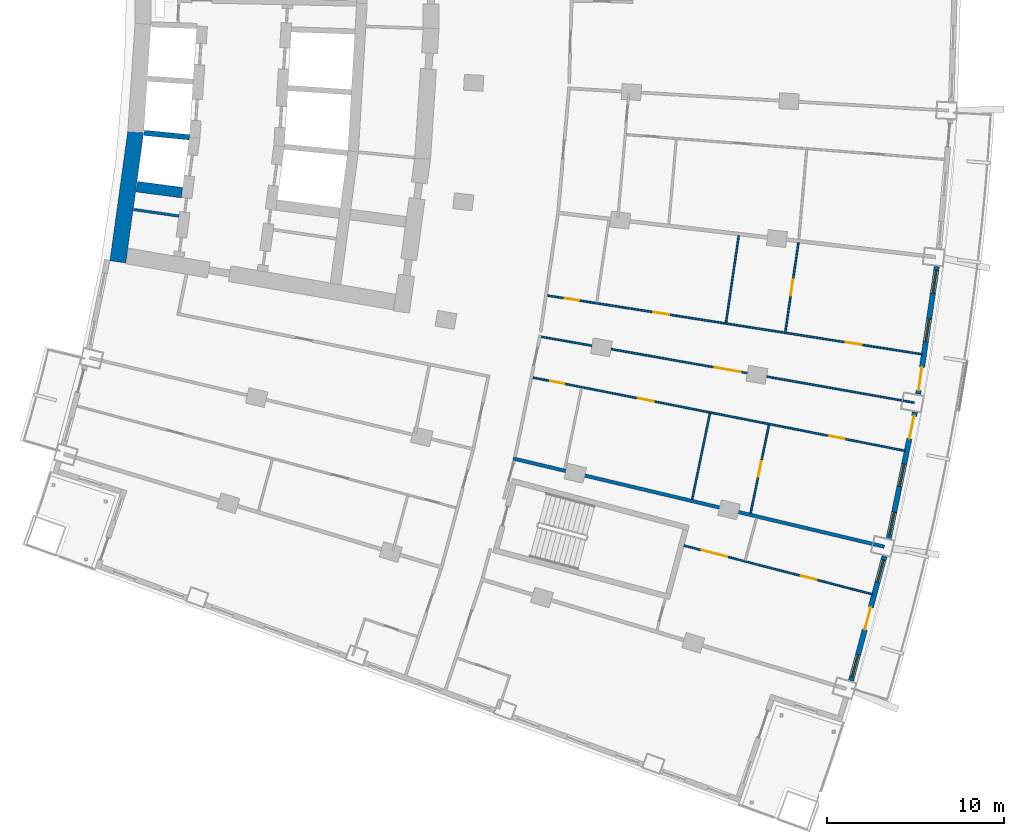
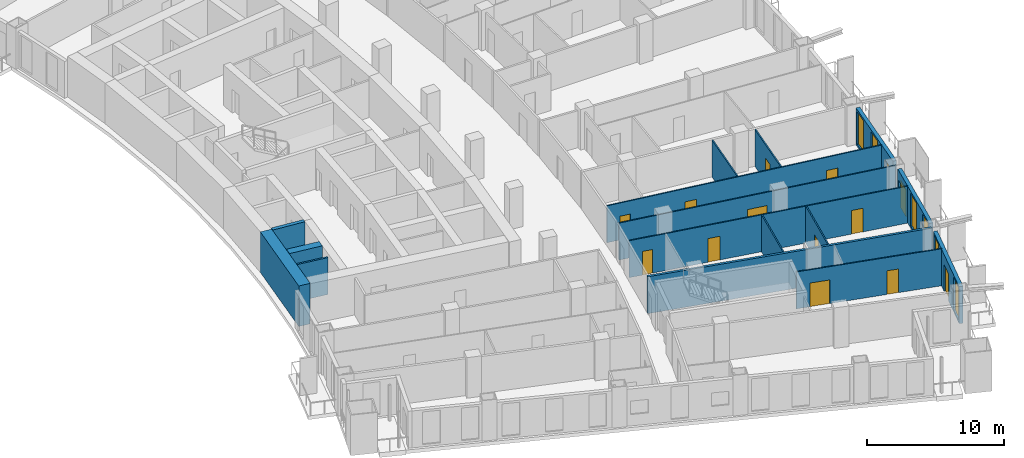
# One storey, part 15 of 25: 16 walls, 14 doors, 6 windows, 20 openings.
"""IFC4 building model written with IfcOpenShell, lengths in metres."""

from ifc_helpers import new_model, si_unit, direction, frame, frame_2d, origin, place, context, subcontext, project, spatial, rectangle, extrude, material, layer, layer_set, type_object, element, fill, save


model = new_model("IFC4")

# Units and contexts
model_context = context("Model", 3, precision=1e-05, world=origin(), true_north=direction((0.0, 1.0)))
body_context = subcontext(model_context, "Body", "Model", "MODEL_VIEW")
ifc_project = project(units=[si_unit("LENGTHUNIT", "METRE"), si_unit("AREAUNIT", "SQUARE_METRE"), si_unit("VOLUMEUNIT", "CUBIC_METRE"), si_unit("PLANEANGLEUNIT", "RADIAN"), si_unit("MASSUNIT", "GRAM", prefix="KILO")], contexts=[model_context])

# Site, building, storey
site_placement = place(None, origin())
site = spatial("IfcSite", under=ifc_project, at=site_placement, CompositionType="ELEMENT")
building_placement = place(site_placement, origin())
building = spatial("IfcBuilding", under=site, at=building_placement, Name="Alderwake Tower", CompositionType="ELEMENT")
storey_placement = place(building_placement, frame((0.0, 0.0, 57.199951171875)))
storey = spatial("IfcBuildingStorey", under=building, at=storey_placement, Name="L13", CompositionType="ELEMENT", Elevation=57.199951171875)

# Walls
ifc_material_1 = material(Name="Gypsum shaft wall system, rated")
ifc_layer_1 = layer(ifc_material_1, 0.14990234375)
ifc_layer_set_1 = layer_set([ifc_layer_1], Name="Core room partition 150")
wall_type_1 = type_object("IfcWallType", Name="Core room partition 150", PredefinedType="PARTITIONING", material=ifc_layer_set_1)
wall_1_placement = place(storey_placement, frame((16.361328125, 47.08203125, 0.0), z_axis=(0.0, 0.0, 1.0), x_axis=(0.989733250733, -0.142926877787, 0.0)))
element("IfcWall", 1, at=wall_1_placement, inside=storey, type_object=wall_type_1, Name="CW/L13/PR-150_+0", PredefinedType="PARTITIONING", context=body_context, shape_type="SweptSolid", body=[
    extrude(rectangle(XDim=2.587890625, YDim=0.14990234375, at=frame_2d((1.2939453125, 0.0))), origin(), (0.0, 0.0, 1.0), 3.280029296875),
])
ifc_material_2 = material(Name="Concrete C70/85", Category="concrete")
ifc_layer_2 = layer(ifc_material_2, 0.89990234375)
ifc_layer_set_2 = layer_set([ifc_layer_2], Name="Core wall outer 900 C70-85")
wall_type_2 = type_object("IfcWallType", Name="Core wall outer 900 C70-85", PredefinedType="SHEAR", material=ifc_layer_set_2)
wall_2_placement = place(storey_placement, frame((15.46923828125, 44.1201171875, 0.0), z_axis=(0.0, 0.0, 1.0), x_axis=(0.136337234661, 0.990662484626, 0.0)))
element("IfcWall", 2, at=wall_2_placement, inside=storey, type_object=wall_type_2, Name="Core wall CW.042", PredefinedType="SHEAR", context=body_context, shape_type="SweptSolid", body=[
    extrude(rectangle(XDim=7.431396484375, YDim=0.89990234375, at=frame_2d((3.7158203125, 0.0))), origin(), (0.0, 0.0, 1.0), 3.60009765625),
])
ifc_material_3 = material(Name="Concrete C70/85", Category="concrete")
ifc_layer_3 = layer(ifc_material_3, 0.300048828125)
ifc_layer_set_3 = layer_set([ifc_layer_3], Name="Core wall shaft 300 C70-85")
wall_type_3 = type_object("IfcWallType", Name="Core wall shaft 300 C70-85", PredefinedType="SHEAR", material=ifc_layer_set_3)
wall_3_placement = place(storey_placement, frame((16.9580078125, 51.4189453125, 0.0), z_axis=(0.0, 0.0, 1.0), x_axis=(0.995153154577, -0.098337169657, 0.0)))
element("IfcWall", 3, at=wall_3_placement, inside=storey, type_object=wall_type_3, Name="Core wall CW.065", PredefinedType="SHEAR", context=body_context, shape_type="SweptSolid", body=[
    extrude(rectangle(XDim=2.569580078125, YDim=0.300048828125, at=frame_2d((1.28466796875, 0.0))), origin(), (0.0, 0.0, 1.0), 3.60009765625),
])
ifc_material_4 = material(Name="Concrete C70/85", Category="concrete")
ifc_layer_4 = layer(ifc_material_4, 0.60009765625)
ifc_layer_set_4 = layer_set([ifc_layer_4], Name="Core wall spine 600 C70-85")
wall_type_4 = type_object("IfcWallType", Name="Core wall spine 600 C70-85", PredefinedType="SHEAR", material=ifc_layer_set_4)
wall_4_placement = place(storey_placement, frame((16.5390625, 48.373291015625, 0.0), z_axis=(0.0, 0.0, 1.0), x_axis=(0.99156081818, -0.129642369037, 0.0)))
element("IfcWall", 4, at=wall_4_placement, inside=storey, type_object=wall_type_4, Name="Core wall CW.067", PredefinedType="SHEAR", context=body_context, shape_type="SweptSolid", body=[
    extrude(rectangle(XDim=2.581787109375, YDim=0.60009765625, at=frame_2d((1.291015625, 0.0))), origin(), (0.0, 0.0, 1.0), 3.60009765625),
])

# Wall, openings, door, windows
ifc_material_5 = material(Name="Precast concrete C50/60 spandrel panel", Category="concrete")
ifc_layer_5 = layer(ifc_material_5, 0.300048828125)
ifc_layer_set_5 = layer_set([ifc_layer_5], Name="External wall EW1 Precast concrete C50/60 spandrel")
wall_type_5 = type_object("IfcWallType", Name="External wall EW1 Precast concrete C50/60 spandrel", PredefinedType="SOLIDWALL", material=ifc_layer_set_5)
wall_5_placement = place(storey_placement, frame((56.952880859375, 20.43017578125, 0.0), z_axis=(0.0, 0.0, 1.0), x_axis=(0.259504577704, 0.9657418776, 0.0)))
wall_5 = element("IfcWall", 5, at=wall_5_placement, inside=storey, type_object=wall_type_5, Name="External wall 12", PredefinedType="SOLIDWALL", context=body_context, shape_type="SweptSolid", body=[
    extrude(rectangle(XDim=7.28271484375, YDim=0.300048828125, at=frame_2d((3.641357421875, 0.0))), origin(), (0.0, 0.0, 1.0), 3.280029296875),
])
opening_1_placement = place(wall_5_placement, frame((0.218994140625, 0.0, 0.199951171875)))
opening_1 = element("IfcOpeningElement", 6, at=opening_1_placement, cuts=wall_5, Name="Opening W1", PredefinedType="OPENING", context=body_context, shape_type="SweptSolid", body=[
    extrude(rectangle(XDim=1.300048828125, YDim=2.89990234375, at=frame_2d((0.64990234375, 1.449951171875))), frame((0.0, 0.159912109375, 0.0), z_axis=(0.0, -1.0, 0.0), x_axis=(1.0, 0.0, 0.0)), (0.0, 0.0, 1.0), 0.320068359375),
])
opening_2_placement = place(wall_5_placement, frame((2.9912109375, 0.0, 0.0)))
opening_2 = element("IfcOpeningElement", 7, at=opening_2_placement, cuts=wall_5, Name="Opening D03", PredefinedType="OPENING", context=body_context, shape_type="SweptSolid", body=[
    extrude(rectangle(XDim=1.300048828125, YDim=2.39990234375, at=frame_2d((0.64990234375, 1.199951171875))), frame((0.0, 0.159912109375, 0.0), z_axis=(0.0, -1.0, 0.0), x_axis=(1.0, 0.0, 0.0)), (0.0, 0.0, 1.0), 0.320068359375),
])
opening_3_placement = place(wall_5_placement, frame((5.763671875, 0.0, 0.199951171875)))
opening_3 = element("IfcOpeningElement", 8, at=opening_3_placement, cuts=wall_5, Name="Opening W1", PredefinedType="OPENING", context=body_context, shape_type="SweptSolid", body=[
    extrude(rectangle(XDim=1.300048828125, YDim=2.89990234375, at=frame_2d((0.64990234375, 1.449951171875))), frame((0.0, 0.159912109375, 0.0), z_axis=(0.0, -1.0, 0.0), x_axis=(1.0, 0.0, 0.0)), (0.0, 0.0, 1.0), 0.320068359375),
])
ifc_material_6 = material(Name="Bronze tinted glass in aluminium frame", Category="aluminium")
door_type_1 = type_object("IfcDoorType", Name="Balcony door BD sliding", OperationType="SLIDING_TO_LEFT", PredefinedType="DOOR", material=ifc_material_6)
door_1_placement = place(opening_2_placement, origin())
door_1 = element("IfcDoor", 9, at=door_1_placement, inside=storey, type_object=door_type_1, Name="Door D03", OperationType="SLIDING_TO_LEFT", OverallHeight=2.39990234375, OverallWidth=1.300048828125, PredefinedType="DOOR", context=body_context, shape_type="SweptSolid", body=[
    extrude(rectangle(XDim=1.300048828125, YDim=2.39990234375, at=frame_2d((0.64990234375, 1.199951171875))), frame((0.0, 0.02490234375, 0.0), z_axis=(0.0, -1.0, 0.0), x_axis=(1.0, 0.0, 0.0)), (0.0, 0.0, 1.0), 0.050048828125),
])
fill(opening_2, door_1)
ifc_material_7 = material(Name="Bronze tinted glass in aluminium frame", Category="aluminium")
window_type = type_object("IfcWindowType", Name="Window W1 tall fixed and vent", PartitioningType="DOUBLE_PANEL_VERTICAL", PredefinedType="WINDOW", material=ifc_material_7)
window_1_placement = place(opening_1_placement, origin())
window_1 = element("IfcWindow", 10, at=window_1_placement, inside=storey, type_object=window_type, Name="Window W1 tall fixed and vent", OverallHeight=2.89990234375, OverallWidth=1.300048828125, PartitioningType="DOUBLE_PANEL_VERTICAL", PredefinedType="WINDOW", context=body_context, shape_type="SweptSolid", body=[
    extrude(rectangle(XDim=1.300048828125, YDim=2.89990234375, at=frame_2d((0.64990234375, 1.449951171875))), frame((0.0, 0.030029296875, 0.0), z_axis=(0.0, -1.0, 0.0), x_axis=(1.0, 0.0, 0.0)), (0.0, 0.0, 1.0), 0.06005859375),
])
fill(opening_1, window_1)
window_2_placement = place(opening_3_placement, origin())
window_2 = element("IfcWindow", 11, at=window_2_placement, inside=storey, type_object=window_type, Name="Window W1 tall fixed and vent", OverallHeight=2.89990234375, OverallWidth=1.300048828125, PartitioningType="DOUBLE_PANEL_VERTICAL", PredefinedType="WINDOW", context=body_context, shape_type="SweptSolid", body=[
    extrude(rectangle(XDim=1.300048828125, YDim=2.89990234375, at=frame_2d((0.64990234375, 1.449951171875))), frame((0.0, 0.030029296875, 0.0), z_axis=(0.0, -1.0, 0.0), x_axis=(1.0, 0.0, 0.0)), (0.0, 0.0, 1.0), 0.06005859375),
])
fill(opening_3, window_2)

wall_6_placement = place(storey_placement, frame((59.085205078125, 28.483642578125, 0.0), z_axis=(0.0, 0.0, 1.0), x_axis=(0.202751929138, 0.979230133948, 0.0)))
wall_6 = element("IfcWall", 12, at=wall_6_placement, inside=storey, type_object=wall_type_5, Name="External wall 13", PredefinedType="SOLIDWALL", context=body_context, shape_type="SweptSolid", body=[
    extrude(rectangle(XDim=7.28271484375, YDim=0.300048828125, at=frame_2d((3.641357421875, 0.0))), origin(), (0.0, 0.0, 1.0), 3.280029296875),
])
opening_4_placement = place(wall_6_placement, frame((0.218994140625, 0.0, 0.199951171875)))
opening_4 = element("IfcOpeningElement", 13, at=opening_4_placement, cuts=wall_6, Name="Opening W1", PredefinedType="OPENING", context=body_context, shape_type="SweptSolid", body=[
    extrude(rectangle(XDim=1.300048828125, YDim=2.89990234375, at=frame_2d((0.64990234375, 1.449951171875))), frame((0.0, 0.159912109375, 0.0), z_axis=(0.0, -1.0, 0.0), x_axis=(1.0, 0.0, 0.0)), (0.0, 0.0, 1.0), 0.320068359375),
])
opening_5_placement = place(wall_6_placement, frame((2.9912109375, 0.0, 0.199951171875)))
opening_5 = element("IfcOpeningElement", 14, at=opening_5_placement, cuts=wall_6, Name="Opening W1", PredefinedType="OPENING", context=body_context, shape_type="SweptSolid", body=[
    extrude(rectangle(XDim=1.300048828125, YDim=2.89990234375, at=frame_2d((0.64990234375, 1.449951171875))), frame((0.0, 0.159912109375, 0.0), z_axis=(0.0, -1.0, 0.0), x_axis=(1.0, 0.0, 0.0)), (0.0, 0.0, 1.0), 0.320068359375),
])
opening_6_placement = place(wall_6_placement, frame((5.763671875, 0.0, 0.0)))
opening_6 = element("IfcOpeningElement", 15, at=opening_6_placement, cuts=wall_6, Name="Opening D04", PredefinedType="OPENING", context=body_context, shape_type="SweptSolid", body=[
    extrude(rectangle(XDim=1.300048828125, YDim=2.39990234375, at=frame_2d((0.64990234375, 1.199951171875))), frame((0.0, 0.159912109375, 0.0), z_axis=(0.0, -1.0, 0.0), x_axis=(1.0, 0.0, 0.0)), (0.0, 0.0, 1.0), 0.320068359375),
])
door_2_placement = place(opening_6_placement, origin())
door_2 = element("IfcDoor", 16, at=door_2_placement, inside=storey, type_object=door_type_1, Name="Door D04", OperationType="SLIDING_TO_LEFT", OverallHeight=2.39990234375, OverallWidth=1.300048828125, PredefinedType="DOOR", context=body_context, shape_type="SweptSolid", body=[
    extrude(rectangle(XDim=1.300048828125, YDim=2.39990234375, at=frame_2d((0.64990234375, 1.199951171875))), frame((0.0, 0.02490234375, 0.0), z_axis=(0.0, -1.0, 0.0), x_axis=(1.0, 0.0, 0.0)), (0.0, 0.0, 1.0), 0.050048828125),
])
fill(opening_6, door_2)
window_3_placement = place(opening_4_placement, origin())
window_3 = element("IfcWindow", 17, at=window_3_placement, inside=storey, type_object=window_type, Name="Window W1 tall fixed and vent", OverallHeight=2.89990234375, OverallWidth=1.300048828125, PartitioningType="DOUBLE_PANEL_VERTICAL", PredefinedType="WINDOW", context=body_context, shape_type="SweptSolid", body=[
    extrude(rectangle(XDim=1.300048828125, YDim=2.89990234375, at=frame_2d((0.64990234375, 1.449951171875))), frame((0.0, 0.030029296875, 0.0), z_axis=(0.0, -1.0, 0.0), x_axis=(1.0, 0.0, 0.0)), (0.0, 0.0, 1.0), 0.06005859375),
])
fill(opening_4, window_3)
window_4_placement = place(opening_5_placement, origin())
window_4 = element("IfcWindow", 18, at=window_4_placement, inside=storey, type_object=window_type, Name="Window W1 tall fixed and vent", OverallHeight=2.89990234375, OverallWidth=1.300048828125, PartitioningType="DOUBLE_PANEL_VERTICAL", PredefinedType="WINDOW", context=body_context, shape_type="SweptSolid", body=[
    extrude(rectangle(XDim=1.300048828125, YDim=2.89990234375, at=frame_2d((0.64990234375, 1.449951171875))), frame((0.0, 0.030029296875, 0.0), z_axis=(0.0, -1.0, 0.0), x_axis=(1.0, 0.0, 0.0)), (0.0, 0.0, 1.0), 0.06005859375),
])
fill(opening_5, window_4)

wall_7_placement = place(storey_placement, frame((60.744384765625, 36.647705078125, 0.0), z_axis=(0.0, 0.0, 1.0), x_axis=(0.14532991295, 0.989383250516, 0.0)))
wall_7 = element("IfcWall", 19, at=wall_7_placement, inside=storey, type_object=wall_type_5, Name="External wall 14", PredefinedType="SOLIDWALL", context=body_context, shape_type="SweptSolid", body=[
    extrude(rectangle(XDim=7.282470703125, YDim=0.300048828125, at=frame_2d((3.64111328125, 0.0))), origin(), (0.0, 0.0, 1.0), 3.280029296875),
])
opening_7_placement = place(wall_7_placement, frame((0.218994140625, 0.0, 0.0)))
opening_7 = element("IfcOpeningElement", 20, at=opening_7_placement, cuts=wall_7, Name="Opening D05", PredefinedType="OPENING", context=body_context, shape_type="SweptSolid", body=[
    extrude(rectangle(XDim=1.300048828125, YDim=2.39990234375, at=frame_2d((0.64990234375, 1.199951171875))), frame((0.0, 0.159912109375, 0.0), z_axis=(0.0, -1.0, 0.0), x_axis=(1.0, 0.0, 0.0)), (0.0, 0.0, 1.0), 0.320068359375),
])
opening_8_placement = place(wall_7_placement, frame((2.9912109375, 0.0, 0.199951171875)))
opening_8 = element("IfcOpeningElement", 21, at=opening_8_placement, cuts=wall_7, Name="Opening W1", PredefinedType="OPENING", context=body_context, shape_type="SweptSolid", body=[
    extrude(rectangle(XDim=1.300048828125, YDim=2.89990234375, at=frame_2d((0.64990234375, 1.449951171875))), frame((0.0, 0.159912109375, 0.0), z_axis=(0.0, -1.0, 0.0), x_axis=(1.0, 0.0, 0.0)), (0.0, 0.0, 1.0), 0.320068359375),
])
opening_9_placement = place(wall_7_placement, frame((5.763671875, 0.0, 0.199951171875)))
opening_9 = element("IfcOpeningElement", 22, at=opening_9_placement, cuts=wall_7, Name="Opening W1", PredefinedType="OPENING", context=body_context, shape_type="SweptSolid", body=[
    extrude(rectangle(XDim=1.300048828125, YDim=2.89990234375, at=frame_2d((0.64990234375, 1.449951171875))), frame((0.0, 0.159912109375, 0.0), z_axis=(0.0, -1.0, 0.0), x_axis=(1.0, 0.0, 0.0)), (0.0, 0.0, 1.0), 0.320068359375),
])
door_3_placement = place(opening_7_placement, origin())
door_3 = element("IfcDoor", 23, at=door_3_placement, inside=storey, type_object=door_type_1, Name="Door D05", OperationType="SLIDING_TO_LEFT", OverallHeight=2.39990234375, OverallWidth=1.300048828125, PredefinedType="DOOR", context=body_context, shape_type="SweptSolid", body=[
    extrude(rectangle(XDim=1.300048828125, YDim=2.39990234375, at=frame_2d((0.64990234375, 1.199951171875))), frame((0.0, 0.02490234375, 0.0), z_axis=(0.0, -1.0, 0.0), x_axis=(1.0, 0.0, 0.0)), (0.0, 0.0, 1.0), 0.050048828125),
])
fill(opening_7, door_3)
window_5_placement = place(opening_8_placement, origin())
window_5 = element("IfcWindow", 24, at=window_5_placement, inside=storey, type_object=window_type, Name="Window W1 tall fixed and vent", OverallHeight=2.89990234375, OverallWidth=1.300048828125, PartitioningType="DOUBLE_PANEL_VERTICAL", PredefinedType="WINDOW", context=body_context, shape_type="SweptSolid", body=[
    extrude(rectangle(XDim=1.300048828125, YDim=2.89990234375, at=frame_2d((0.64990234375, 1.449951171875))), frame((0.0, 0.030029296875, 0.0), z_axis=(0.0, -1.0, 0.0), x_axis=(1.0, 0.0, 0.0)), (0.0, 0.0, 1.0), 0.06005859375),
])
fill(opening_8, window_5)
window_6_placement = place(opening_9_placement, origin())
window_6 = element("IfcWindow", 25, at=window_6_placement, inside=storey, type_object=window_type, Name="Window W1 tall fixed and vent", OverallHeight=2.89990234375, OverallWidth=1.300048828125, PartitioningType="DOUBLE_PANEL_VERTICAL", PredefinedType="WINDOW", context=body_context, shape_type="SweptSolid", body=[
    extrude(rectangle(XDim=1.300048828125, YDim=2.89990234375, at=frame_2d((0.64990234375, 1.449951171875))), frame((0.0, 0.030029296875, 0.0), z_axis=(0.0, -1.0, 0.0), x_axis=(1.0, 0.0, 0.0)), (0.0, 0.0, 1.0), 0.06005859375),
])
fill(opening_9, window_6)

# Wall
ifc_material_8 = material(Name="Dense block masonry wall", Category="masonry")
ifc_layer_6 = layer(ifc_material_8, 0.199951171875)
ifc_layer_set_6 = layer_set([ifc_layer_6], Name="Party wall 200")
wall_type_6 = type_object("IfcWallType", Name="Party wall 200", PredefinedType="SOLIDWALL", material=ifc_layer_set_6)
wall_8_placement = place(storey_placement, frame((37.839111328125, 32.994384765625, 0.0), z_axis=(0.0, 0.0, 1.0), x_axis=(0.972900578851, -0.23122383889, 0.0)))
element("IfcWall", 26, at=wall_8_placement, inside=storey, type_object=wall_type_6, Name="WL/L13/W04", PredefinedType="SOLIDWALL", context=body_context, shape_type="SweptSolid", body=[
    extrude(rectangle(XDim=21.57861328125, YDim=0.199951171875, at=frame_2d((10.789306640625, 0.0))), origin(), (0.0, 0.0, 1.0), 3.280029296875),
])

# Wall, openings, doors
ifc_material_9 = material(Name="Gypsum board on metal studs")
ifc_layer_7 = layer(ifc_material_9, 0.10009765625)
ifc_layer_set_7 = layer_set([ifc_layer_7], Name="Unit partition 100")
wall_type_7 = type_object("IfcWallType", Name="Unit partition 100", PredefinedType="PARTITIONING", material=ifc_layer_set_7)
wall_9_placement = place(storey_placement, frame((60.009033203125, 33.428955078125, 0.0), z_axis=(0.0, 0.0, 1.0), x_axis=(-0.981171141016, 0.193140342852, 0.0)))
wall_9 = element("IfcWall", 27, at=wall_9_placement, inside=storey, type_object=wall_type_7, Name="WL/L13/W66", PredefinedType="PARTITIONING", context=body_context, shape_type="SweptSolid", body=[
    extrude(rectangle(XDim=21.463623046875, YDim=0.10009765625, at=frame_2d((10.73193359375, 0.0))), origin(), (0.0, 0.0, 1.0), 3.280029296875),
])
opening_10_placement = place(wall_9_placement, frame((14.493408203125, 0.0, 0.0)))
opening_10 = element("IfcOpeningElement", 28, at=opening_10_placement, cuts=wall_9, Name="Opening R03-U05.1", PredefinedType="OPENING", context=body_context, shape_type="SweptSolid", body=[
    extrude(rectangle(XDim=0.89990234375, YDim=2.10009765625, at=frame_2d((0.449951171875, 1.050048828125))), frame((0.0, 0.06005859375, 0.0), z_axis=(0.0, -1.0, 0.0), x_axis=(1.0, 0.0, 0.0)), (0.0, 0.0, 1.0), 0.1201171875),
])
opening_11_placement = place(wall_9_placement, frame((19.654296875, 0.0, 0.0)))
opening_11 = element("IfcOpeningElement", 29, at=opening_11_placement, cuts=wall_9, Name="Opening R03-U05.4", PredefinedType="OPENING", context=body_context, shape_type="SweptSolid", body=[
    extrude(rectangle(XDim=0.800048828125, YDim=2.10009765625, at=frame_2d((0.39990234375, 1.050048828125))), frame((0.0, 0.06005859375, 0.0), z_axis=(0.0, -1.0, 0.0), x_axis=(1.0, 0.0, 0.0)), (0.0, 0.0, 1.0), 0.1201171875),
])
opening_12_placement = place(wall_9_placement, frame((3.47265625, 0.0, 0.0)))
opening_12 = element("IfcOpeningElement", 30, at=opening_12_placement, cuts=wall_9, Name="Opening R03-U05.5", PredefinedType="OPENING", context=body_context, shape_type="SweptSolid", body=[
    extrude(rectangle(XDim=0.89990234375, YDim=2.10009765625, at=frame_2d((0.449951171875, 1.050048828125))), frame((0.0, 0.06005859375, 0.0), z_axis=(0.0, -1.0, 0.0), x_axis=(1.0, 0.0, 0.0)), (0.0, 0.0, 1.0), 0.1201171875),
])
ifc_material_10 = material(Name="Painted timber leaf", Category="wood")
door_type_2 = type_object("IfcDoorType", Name="Bathroom door 800", OperationType="SINGLE_SWING_LEFT", PredefinedType="DOOR", material=ifc_material_10)
door_4_placement = place(opening_11_placement, origin())
door_4 = element("IfcDoor", 31, at=door_4_placement, inside=storey, type_object=door_type_2, Name="DR/L13/U05.4", OperationType="SINGLE_SWING_LEFT", OverallHeight=2.10009765625, OverallWidth=0.800048828125, PredefinedType="DOOR", context=body_context, shape_type="SweptSolid", body=[
    extrude(rectangle(XDim=0.800048828125, YDim=2.10009765625, at=frame_2d((0.39990234375, 1.050048828125))), frame((0.0, 0.02490234375, 0.0), z_axis=(0.0, -1.0, 0.0), x_axis=(1.0, 0.0, 0.0)), (0.0, 0.0, 1.0), 0.050048828125),
])
fill(opening_11, door_4)
ifc_material_11 = material(Name="Painted timber leaf", Category="wood")
door_type_3 = type_object("IfcDoorType", Name="Room door 900", OperationType="SINGLE_SWING_LEFT", PredefinedType="DOOR", material=ifc_material_11)
door_5_placement = place(opening_10_placement, origin())
door_5 = element("IfcDoor", 32, at=door_5_placement, inside=storey, type_object=door_type_3, Name="DR/L13/U05.1", OperationType="SINGLE_SWING_LEFT", OverallHeight=2.10009765625, OverallWidth=0.89990234375, PredefinedType="DOOR", context=body_context, shape_type="SweptSolid", body=[
    extrude(rectangle(XDim=0.89990234375, YDim=2.10009765625, at=frame_2d((0.449951171875, 1.050048828125))), frame((0.0, 0.02490234375, 0.0), z_axis=(0.0, -1.0, 0.0), x_axis=(1.0, 0.0, 0.0)), (0.0, 0.0, 1.0), 0.050048828125),
])
fill(opening_10, door_5)
door_6_placement = place(opening_12_placement, origin())
door_6 = element("IfcDoor", 33, at=door_6_placement, inside=storey, type_object=door_type_3, Name="DR/L13/U05.5", OperationType="SINGLE_SWING_LEFT", OverallHeight=2.10009765625, OverallWidth=0.89990234375, PredefinedType="DOOR", context=body_context, shape_type="SweptSolid", body=[
    extrude(rectangle(XDim=0.89990234375, YDim=2.10009765625, at=frame_2d((0.449951171875, 1.050048828125))), frame((0.0, 0.02490234375, 0.0), z_axis=(0.0, -1.0, 0.0), x_axis=(1.0, 0.0, 0.0)), (0.0, 0.0, 1.0), 0.050048828125),
])
fill(opening_12, door_6)

wall_10_placement = place(storey_placement, frame((39.76904296875, 42.215576171875, 0.0), z_axis=(0.0, 0.0, 1.0), x_axis=(0.987940583593, -0.154833469542, 0.0)))
wall_10 = element("IfcWall", 34, at=wall_10_placement, inside=storey, type_object=wall_type_7, Name="WL/L13/W69", PredefinedType="PARTITIONING", context=body_context, shape_type="SweptSolid", body=[
    extrude(rectangle(XDim=21.46484375, YDim=0.10009765625, at=frame_2d((10.732421875, 0.0))), origin(), (0.0, 0.0, 1.0), 3.280029296875),
])
opening_13_placement = place(wall_10_placement, frame((6.0712890625, 0.0, 0.0)))
opening_13 = element("IfcOpeningElement", 35, at=opening_13_placement, cuts=wall_10, Name="Opening R03-U05.6", PredefinedType="OPENING", context=body_context, shape_type="SweptSolid", body=[
    extrude(rectangle(XDim=0.89990234375, YDim=2.10009765625, at=frame_2d((0.449951171875, 1.050048828125))), frame((0.0, 0.06005859375, 0.0), z_axis=(0.0, -1.0, 0.0), x_axis=(1.0, 0.0, 0.0)), (0.0, 0.0, 1.0), 0.1201171875),
])
opening_14_placement = place(wall_10_placement, frame((1.010009765625, 0.0, 0.0)))
opening_14 = element("IfcOpeningElement", 36, at=opening_14_placement, cuts=wall_10, Name="Opening R03-U05.7", PredefinedType="OPENING", context=body_context, shape_type="SweptSolid", body=[
    extrude(rectangle(XDim=0.800048828125, YDim=2.10009765625, at=frame_2d((0.39990234375, 1.050048828125))), frame((0.0, 0.06005859375, 0.0), z_axis=(0.0, -1.0, 0.0), x_axis=(1.0, 0.0, 0.0)), (0.0, 0.0, 1.0), 0.1201171875),
])
opening_15_placement = place(wall_10_placement, frame((17.092041015625, 0.0, 0.0)))
opening_15 = element("IfcOpeningElement", 37, at=opening_15_placement, cuts=wall_10, Name="Opening R03-U05.8", PredefinedType="OPENING", context=body_context, shape_type="SweptSolid", body=[
    extrude(rectangle(XDim=0.89990234375, YDim=2.10009765625, at=frame_2d((0.449951171875, 1.050048828125))), frame((0.0, 0.06005859375, 0.0), z_axis=(0.0, -1.0, 0.0), x_axis=(1.0, 0.0, 0.0)), (0.0, 0.0, 1.0), 0.1201171875),
])
door_7_placement = place(opening_14_placement, origin())
door_7 = element("IfcDoor", 38, at=door_7_placement, inside=storey, type_object=door_type_2, Name="DR/L13/U05.7", OperationType="SINGLE_SWING_LEFT", OverallHeight=2.10009765625, OverallWidth=0.800048828125, PredefinedType="DOOR", context=body_context, shape_type="SweptSolid", body=[
    extrude(rectangle(XDim=0.800048828125, YDim=2.10009765625, at=frame_2d((0.39990234375, 1.050048828125))), frame((0.0, 0.02490234375, 0.0), z_axis=(0.0, -1.0, 0.0), x_axis=(1.0, 0.0, 0.0)), (0.0, 0.0, 1.0), 0.050048828125),
])
fill(opening_14, door_7)
door_8_placement = place(opening_13_placement, origin())
door_8 = element("IfcDoor", 39, at=door_8_placement, inside=storey, type_object=door_type_3, Name="DR/L13/U05.6", OperationType="SINGLE_SWING_LEFT", OverallHeight=2.10009765625, OverallWidth=0.89990234375, PredefinedType="DOOR", context=body_context, shape_type="SweptSolid", body=[
    extrude(rectangle(XDim=0.89990234375, YDim=2.10009765625, at=frame_2d((0.449951171875, 1.050048828125))), frame((0.0, 0.02490234375, 0.0), z_axis=(0.0, -1.0, 0.0), x_axis=(1.0, 0.0, 0.0)), (0.0, 0.0, 1.0), 0.050048828125),
])
fill(opening_13, door_8)
door_9_placement = place(opening_15_placement, origin())
door_9 = element("IfcDoor", 40, at=door_9_placement, inside=storey, type_object=door_type_3, Name="DR/L13/U05.8", OperationType="SINGLE_SWING_LEFT", OverallHeight=2.10009765625, OverallWidth=0.89990234375, PredefinedType="DOOR", context=body_context, shape_type="SweptSolid", body=[
    extrude(rectangle(XDim=0.89990234375, YDim=2.10009765625, at=frame_2d((0.449951171875, 1.050048828125))), frame((0.0, 0.02490234375, 0.0), z_axis=(0.0, -1.0, 0.0), x_axis=(1.0, 0.0, 0.0)), (0.0, 0.0, 1.0), 0.050048828125),
])
fill(opening_15, door_9)

wall_11_placement = place(storey_placement, frame((58.160888671875, 25.31396484375, 0.0), z_axis=(0.0, 0.0, 1.0), x_axis=(-0.968217943729, 0.250108003554, 0.0)))
wall_11 = element("IfcWall", 41, at=wall_11_placement, inside=storey, type_object=wall_type_7, Name="WL/L13/W75", PredefinedType="PARTITIONING", context=body_context, shape_type="SweptSolid", body=[
    extrude(rectangle(XDim=11.011962890625, YDim=0.10009765625, at=frame_2d((5.505859375, 0.0))), origin(), (0.0, 0.0, 1.0), 3.280029296875),
])
opening_16_placement = place(wall_11_placement, frame((8.47998046875, 0.0, 0.0)))
opening_16 = element("IfcOpeningElement", 42, at=opening_16_placement, cuts=wall_11, Name="Opening R03-U01.2", PredefinedType="OPENING", context=body_context, shape_type="SweptSolid", body=[
    extrude(rectangle(XDim=1.5, YDim=2.10009765625, at=frame_2d((0.75, 1.050048828125))), frame((0.0, 0.06005859375, 0.0), z_axis=(0.0, -1.0, 0.0), x_axis=(1.0, 0.0, 0.0)), (0.0, 0.0, 1.0), 0.1201171875),
])
opening_17_placement = place(wall_11_placement, frame((3.274169921875, 0.0, 0.0)))
opening_17 = element("IfcOpeningElement", 43, at=opening_17_placement, cuts=wall_11, Name="Opening R03-U01.3", PredefinedType="OPENING", context=body_context, shape_type="SweptSolid", body=[
    extrude(rectangle(XDim=0.89990234375, YDim=2.10009765625, at=frame_2d((0.449951171875, 1.050048828125))), frame((0.0, 0.06005859375, 0.0), z_axis=(0.0, -1.0, 0.0), x_axis=(1.0, 0.0, 0.0)), (0.0, 0.0, 1.0), 0.1201171875),
])
ifc_material_12 = material(Name="Painted timber leaves", Category="wood")
door_type_4 = type_object("IfcDoorType", Name="Double leaf door 1500", OperationType="DOUBLE_DOOR_SINGLE_SWING", PredefinedType="DOOR", material=ifc_material_12)
door_10_placement = place(opening_16_placement, origin())
door_10 = element("IfcDoor", 44, at=door_10_placement, inside=storey, type_object=door_type_4, Name="DR/L13/U01.2", OperationType="DOUBLE_DOOR_SINGLE_SWING", OverallHeight=2.10009765625, OverallWidth=1.5, PredefinedType="DOOR", context=body_context, shape_type="SweptSolid", body=[
    extrude(rectangle(XDim=1.5, YDim=2.10009765625, at=frame_2d((0.75, 1.050048828125))), frame((0.0, 0.02490234375, 0.0), z_axis=(0.0, -1.0, 0.0), x_axis=(1.0, 0.0, 0.0)), (0.0, 0.0, 1.0), 0.050048828125),
])
fill(opening_16, door_10)
door_11_placement = place(opening_17_placement, origin())
door_11 = element("IfcDoor", 45, at=door_11_placement, inside=storey, type_object=door_type_3, Name="DR/L13/U01.3", OperationType="SINGLE_SWING_LEFT", OverallHeight=2.10009765625, OverallWidth=0.89990234375, PredefinedType="DOOR", context=body_context, shape_type="SweptSolid", body=[
    extrude(rectangle(XDim=0.89990234375, YDim=2.10009765625, at=frame_2d((0.449951171875, 1.050048828125))), frame((0.0, 0.02490234375, 0.0), z_axis=(0.0, -1.0, 0.0), x_axis=(1.0, 0.0, 0.0)), (0.0, 0.0, 1.0), 0.050048828125),
])
fill(opening_17, door_11)

# Walls
wall_12_placement = place(storey_placement, frame((47.96337890625, 30.69189453125, 0.0), z_axis=(0.0, 0.0, 1.0), x_axis=(0.202431544222, 0.979296415752, 0.0)))
element("IfcWall", 46, at=wall_12_placement, inside=storey, type_object=wall_type_7, Name="WL/L13/W77", PredefinedType="PARTITIONING", context=body_context, shape_type="SweptSolid", body=[
    extrude(rectangle(XDim=4.962890625, YDim=0.10009765625, at=frame_2d((2.4814453125, 0.0))), origin(), (0.0, 0.0, 1.0), 3.280029296875),
])
wall_13_placement = place(storey_placement, frame((49.876220703125, 40.681396484375, 0.0), z_axis=(0.0, 0.0, 1.0), x_axis=(0.144862585886, 0.989451783166, 0.0)))
element("IfcWall", 47, at=wall_13_placement, inside=storey, type_object=wall_type_7, Name="WL/L13/W79", PredefinedType="PARTITIONING", context=body_context, shape_type="SweptSolid", body=[
    extrude(rectangle(XDim=4.965087890625, YDim=0.10009765625, at=frame_2d((2.482421875, 0.0))), origin(), (0.0, 0.0, 1.0), 3.280029296875),
])

# Wall, opening, door
wall_14_placement = place(storey_placement, frame((51.269287109375, 29.906005859375, 0.0), z_axis=(0.0, 0.0, 1.0), x_axis=(0.20302230098, 0.979174113886, 0.0)))
wall_14 = element("IfcWall", 48, at=wall_14_placement, inside=storey, type_object=wall_type_7, Name="WL/L13/W83", PredefinedType="PARTITIONING", context=body_context, shape_type="SweptSolid", body=[
    extrude(rectangle(XDim=5.09521484375, YDim=0.10009765625, at=frame_2d((2.547607421875, 0.0))), origin(), (0.0, 0.0, 1.0), 3.280029296875),
])
opening_18_placement = place(wall_14_placement, frame((2.09765625, 0.0, 0.0)))
opening_18 = element("IfcOpeningElement", 49, at=opening_18_placement, cuts=wall_14, Name="Opening R03-U05.2", PredefinedType="OPENING", context=body_context, shape_type="SweptSolid", body=[
    extrude(rectangle(XDim=0.89990234375, YDim=2.10009765625, at=frame_2d((0.449951171875, 1.050048828125))), frame((0.0, 0.06005859375, 0.0), z_axis=(0.0, -1.0, 0.0), x_axis=(1.0, 0.0, 0.0)), (0.0, 0.0, 1.0), 0.1201171875),
])
door_12_placement = place(opening_18_placement, origin())
door_12 = element("IfcDoor", 50, at=door_12_placement, inside=storey, type_object=door_type_3, Name="DR/L13/U05.2", OperationType="SINGLE_SWING_LEFT", OverallHeight=2.10009765625, OverallWidth=0.89990234375, PredefinedType="DOOR", context=body_context, shape_type="SweptSolid", body=[
    extrude(rectangle(XDim=0.89990234375, YDim=2.10009765625, at=frame_2d((0.449951171875, 1.050048828125))), frame((0.0, 0.02490234375, 0.0), z_axis=(0.0, -1.0, 0.0), x_axis=(1.0, 0.0, 0.0)), (0.0, 0.0, 1.0), 0.050048828125),
])
fill(opening_18, door_12)

wall_15_placement = place(storey_placement, frame((53.2333984375, 40.156494140625, 0.0), z_axis=(0.0, 0.0, 1.0), x_axis=(0.145223628797, 0.9893988567, 0.0)))
wall_15 = element("IfcWall", 51, at=wall_15_placement, inside=storey, type_object=wall_type_7, Name="WL/L13/W85", PredefinedType="PARTITIONING", context=body_context, shape_type="SweptSolid", body=[
    extrude(rectangle(XDim=5.095458984375, YDim=0.10009765625, at=frame_2d((2.5478515625, 0.0))), origin(), (0.0, 0.0, 1.0), 3.280029296875),
])
opening_19_placement = place(wall_15_placement, frame((2.097900390625, 0.0, 0.0)))
opening_19 = element("IfcOpeningElement", 52, at=opening_19_placement, cuts=wall_15, Name="Opening R03-U05.9", PredefinedType="OPENING", context=body_context, shape_type="SweptSolid", body=[
    extrude(rectangle(XDim=0.89990234375, YDim=2.10009765625, at=frame_2d((0.449951171875, 1.050048828125))), frame((0.0, 0.06005859375, 0.0), z_axis=(0.0, -1.0, 0.0), x_axis=(1.0, 0.0, 0.0)), (0.0, 0.0, 1.0), 0.1201171875),
])
door_13_placement = place(opening_19_placement, origin())
door_13 = element("IfcDoor", 53, at=door_13_placement, inside=storey, type_object=door_type_3, Name="DR/L13/U05.9", OperationType="SINGLE_SWING_LEFT", OverallHeight=2.10009765625, OverallWidth=0.89990234375, PredefinedType="DOOR", context=body_context, shape_type="SweptSolid", body=[
    extrude(rectangle(XDim=0.89990234375, YDim=2.10009765625, at=frame_2d((0.449951171875, 1.050048828125))), frame((0.0, 0.02490234375, 0.0), z_axis=(0.0, -1.0, 0.0), x_axis=(1.0, 0.0, 0.0)), (0.0, 0.0, 1.0), 0.050048828125),
])
fill(opening_19, door_13)

wall_16_placement = place(storey_placement, frame((39.4267578125, 39.883056640625, 0.0), z_axis=(0.0, 0.0, 1.0), x_axis=(0.984744519695, -0.174006410603, 0.0)))
wall_16 = element("IfcWall", 54, at=wall_16_placement, inside=storey, type_object=wall_type_7, Name="WL/L13/W90", PredefinedType="PARTITIONING", context=body_context, shape_type="SweptSolid", body=[
    extrude(rectangle(XDim=21.4189453125, YDim=0.10009765625, at=frame_2d((10.70947265625, 0.0))), origin(), (0.0, 0.0, 1.0), 3.280029296875),
])
opening_20_placement = place(wall_16_placement, frame((9.95947265625, 0.0, 0.0)))
opening_20 = element("IfcOpeningElement", 55, at=opening_20_placement, cuts=wall_16, Name="Opening R03-U05.10", PredefinedType="OPENING", context=body_context, shape_type="SweptSolid", body=[
    extrude(rectangle(XDim=1.5, YDim=2.10009765625, at=frame_2d((0.75, 1.050048828125))), frame((0.0, 0.06005859375, 0.0), z_axis=(0.0, -1.0, 0.0), x_axis=(1.0, 0.0, 0.0)), (0.0, 0.0, 1.0), 0.1201171875),
])
door_14_placement = place(opening_20_placement, origin())
door_14 = element("IfcDoor", 56, at=door_14_placement, inside=storey, type_object=door_type_4, Name="DR/L13/U05.10", OperationType="DOUBLE_DOOR_SINGLE_SWING", OverallHeight=2.10009765625, OverallWidth=1.5, PredefinedType="DOOR", context=body_context, shape_type="SweptSolid", body=[
    extrude(rectangle(XDim=1.5, YDim=2.10009765625, at=frame_2d((0.75, 1.050048828125))), frame((0.0, 0.02490234375, 0.0), z_axis=(0.0, -1.0, 0.0), x_axis=(1.0, 0.0, 0.0)), (0.0, 0.0, 1.0), 0.050048828125),
])
fill(opening_20, door_14)

save(model, "model.ifc")
